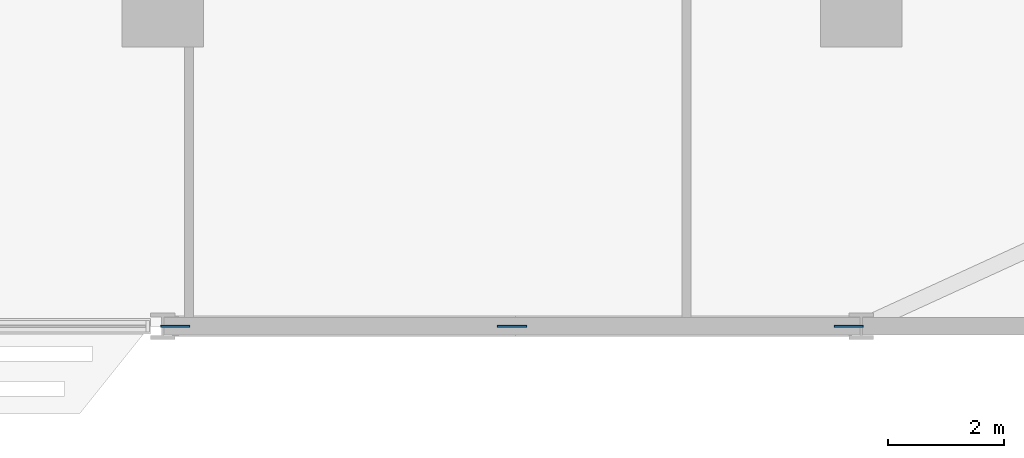
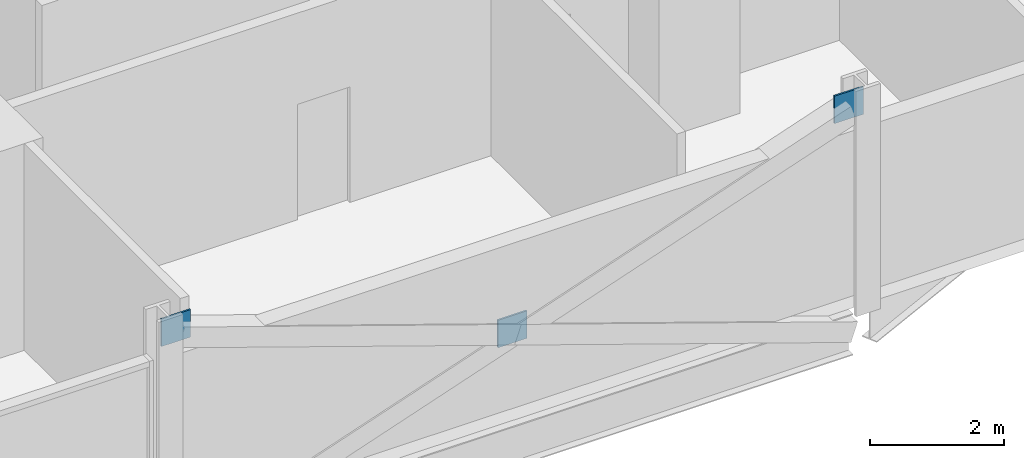
# One storey, part 21 of 29: 3 discrete accessories.
"""IFC4 building model written with IfcOpenShell, lengths in metres."""

from ifc_helpers import new_model, si_unit, direction, frame, origin, origin_2d, place, context, subcontext, project, spatial, rectangle, extrude, material, layer, layer_set, type_object, element, save


model = new_model("IFC4")

# Units and contexts
model_context = context("Model", 3, precision=1e-05, world=origin(), true_north=direction((0.0, 1.0)))
body_context = subcontext(model_context, "Body", "Model", "MODEL_VIEW")
ifc_project = project(units=[si_unit("LENGTHUNIT", "METRE"), si_unit("AREAUNIT", "SQUARE_METRE"), si_unit("VOLUMEUNIT", "CUBIC_METRE"), si_unit("PLANEANGLEUNIT", "RADIAN"), si_unit("MASSUNIT", "GRAM", prefix="KILO")], contexts=[model_context])

# Site, building, storey
site_placement = place(None, origin())
site = spatial("IfcSite", under=ifc_project, at=site_placement, CompositionType="ELEMENT")
building_placement = place(site_placement, origin())
building = spatial("IfcBuilding", under=site, at=building_placement, Name="Mahtab Terrace Research Tower", CompositionType="ELEMENT")
storey_placement = place(building_placement, frame((0.0, 0.0, 88.89990234375)))
storey = spatial("IfcBuildingStorey", under=building, at=storey_placement, Name="L20", CompositionType="ELEMENT", Elevation=88.89990234375)

# Discrete accessories
ifc_material = material(Name="Steel ASTM A992 Gr 50", Category="steel")
ifc_layer = layer(ifc_material, 0.030029296875)
ifc_layer_set = layer_set([ifc_layer], Name="Gusset plate 500x500x30")
discrete_accessory_type = type_object("IfcDiscreteAccessoryType", Name="Gusset plate 500x500x30", PredefinedType="USERDEFINED", material=ifc_layer_set)
for number, where, z_axis, x_axis, name in (
    (1, (30.209716796875, -17.0, 3.131591796875), (0.0, 0.0, 1.0), (1.0, 0.0, 0.0), "Gusset plate"),
    (2, (36.0, -17.0, 1.081787109375), (0.0, 0.0, 1.0), (1.0, 0.0, 0.0), "Gusset plate"),
    (3, (41.790283203125, -17.0, 3.131591796875), (0.0, 0.0, 1.0), (1.0, 0.0, 0.0), "Gusset plate"),
):
    element("IfcDiscreteAccessory", number, at=place(storey_placement, frame(where, z_axis=z_axis, x_axis=x_axis)), inside=storey, type_object=discrete_accessory_type, Name=name, ObjectType="GUSSET PLATE", PredefinedType="USERDEFINED", context=body_context, shape_type="SweptSolid", body=[
        extrude(rectangle(XDim=0.5, YDim=0.030029296875, at=origin_2d()), origin(), (0.0, 0.0, 1.0), 0.5),
    ])

save(model, "model.ifc")
